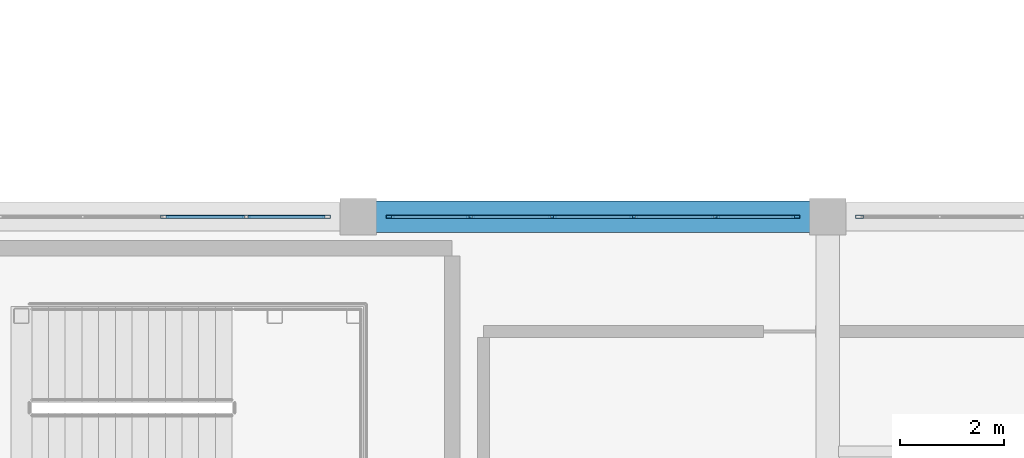
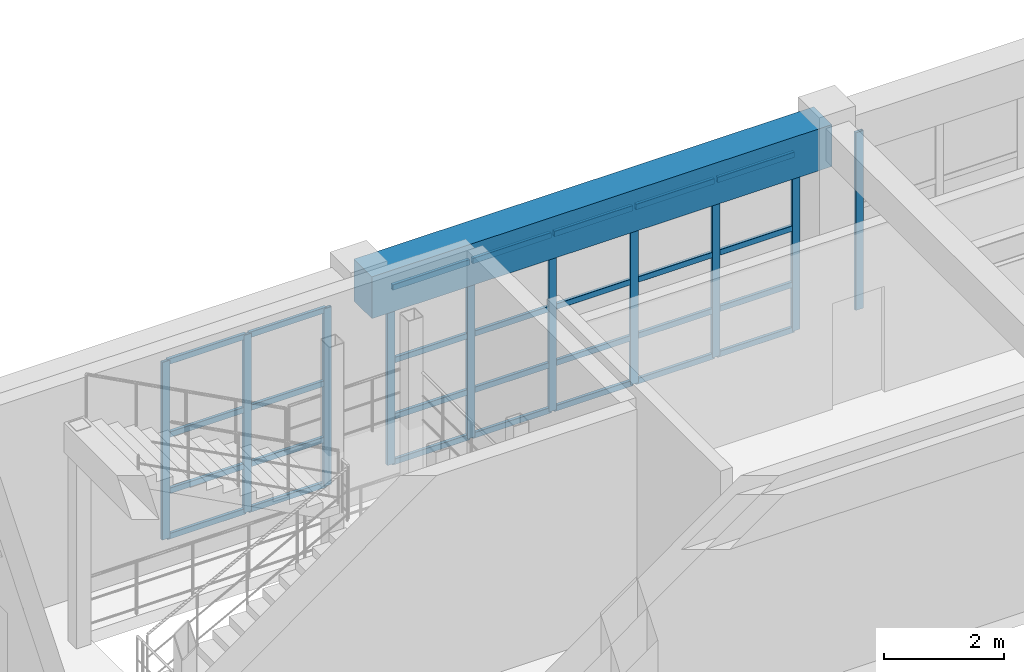
# One storey, part 28 of 133: 38 members, 1 beam, 3 elements without a shape of their own.
"""IFC4 building model written with IfcOpenShell, lengths in metres."""

from ifc_helpers import new_model, si_unit, direction, frame, origin, origin_2d, place, context, subcontext, project, spatial, rectangle, hollow_rectangle, extrude, material, material_profile, profile_set, type_object, element, aggregate, save


model = new_model("IFC4")

# Units and contexts
model_context = context("Model", 3, precision=1e-05, world=origin(), true_north=direction((0.0, 1.0)))
body_context = subcontext(model_context, "Body", "Model", "MODEL_VIEW")
ifc_project = project(units=[si_unit("LENGTHUNIT", "METRE"), si_unit("AREAUNIT", "SQUARE_METRE"), si_unit("VOLUMEUNIT", "CUBIC_METRE"), si_unit("PLANEANGLEUNIT", "RADIAN"), si_unit("MASSUNIT", "GRAM", prefix="KILO")], contexts=[model_context])

# Site, building, storey
site_placement = place(None, origin())
site = spatial("IfcSite", under=ifc_project, at=site_placement, CompositionType="ELEMENT")
building_placement = place(site_placement, origin())
building = spatial("IfcBuilding", under=site, at=building_placement, Name="Miravela Opera House", CompositionType="ELEMENT")
storey_placement = place(building_placement, frame((0.0, 0.0, 5.10009765625)))
storey = spatial("IfcBuildingStorey", under=building, at=storey_placement, Name="L01", CompositionType="ELEMENT", Elevation=5.10009765625)

# Curtain wall, members
ifc_material_1 = material(Name="Anodised architectural bronze aluminium 6063-T6", Category="aluminium")
curtain_wall_type = type_object("IfcCurtainWallType", Name="ARC-CW-06", PredefinedType="NOTDEFINED", material=ifc_material_1)
curtain_wall_1_placement = place(storey_placement, origin())
curtain_wall_1 = element("IfcCurtainWall", 1, at=curtain_wall_1_placement, inside=storey, type_object=curtain_wall_type, Name="Courtyard Arcade Curtain Wall CW-L01-125", PredefinedType="NOTDEFINED")
ifc_material_profile_1 = material_profile(ifc_material_1, hollow_rectangle(XDim=0.06005859375, YDim=0.14990234375, WallThickness=0.00390625, InnerFilletRadius=0.001953125, OuterFilletRadius=0.00390625, at=origin_2d()), Name="CWM-60X150")
ifc_profile_set_1 = profile_set([ifc_material_profile_1])
member_type_1 = type_object("IfcMemberType", Name="ARC-CWM-150", PredefinedType="MULLION", material=ifc_profile_set_1)
member_1_placement = place(storey_placement, frame((32.283935546875, 9.0, 0.0), z_axis=(0.0, 0.0, 1.0), x_axis=(0.0, 1.0, 0.0)))
member_1 = element("IfcMember", 2, at=member_1_placement, type_object=member_type_1, Name="CW-06 mullion 4", PredefinedType="MULLION", context=body_context, shape_type="SweptSolid", body=[
    extrude(hollow_rectangle(XDim=0.06005859375, YDim=0.14990234375, WallThickness=0.00390625, InnerFilletRadius=0.001953125, OuterFilletRadius=0.00390625, at=origin_2d()), origin(), (0.0, 0.0, 1.0), 3.60986328125),
])
member_2_placement = place(storey_placement, frame((33.85205078125, 9.0, 0.0), z_axis=(0.0, 0.0, 1.0), x_axis=(0.0, 1.0, 0.0)))
member_2 = element("IfcMember", 3, at=member_2_placement, type_object=member_type_1, Name="CW-06 mullion 5", PredefinedType="MULLION", context=body_context, shape_type="SweptSolid", body=[
    extrude(hollow_rectangle(XDim=0.06005859375, YDim=0.14990234375, WallThickness=0.00390625, InnerFilletRadius=0.001953125, OuterFilletRadius=0.00390625, at=origin_2d()), origin(), (0.0, 0.0, 1.0), 3.60986328125),
])
member_3_placement = place(storey_placement, frame((35.389892578125, 9.0, 0.0), z_axis=(0.0, 0.0, 1.0), x_axis=(0.0, 1.0, 0.0)))
member_3 = element("IfcMember", 4, at=member_3_placement, type_object=member_type_1, Name="CW-06 mullion 6", PredefinedType="MULLION", context=body_context, shape_type="SweptSolid", body=[
    extrude(hollow_rectangle(XDim=0.06005859375, YDim=0.14990234375, WallThickness=0.00390625, InnerFilletRadius=0.001953125, OuterFilletRadius=0.00390625, at=origin_2d()), origin(), (0.0, 0.0, 1.0), 3.60986328125),
])

curtain_wall_2_placement = place(storey_placement, origin())
curtain_wall_2 = element("IfcCurtainWall", 5, at=curtain_wall_2_placement, inside=storey, type_object=curtain_wall_type, Name="Courtyard Arcade Curtain Wall CW-L01-127", PredefinedType="NOTDEFINED")
member_4_placement = place(storey_placement, frame((36.610107421875, 9.0, 0.0), z_axis=(0.0, 0.0, 1.0), x_axis=(0.0, 1.0, 0.0)))
member_4 = element("IfcMember", 6, at=member_4_placement, type_object=member_type_1, Name="CW-06 mullion 1", PredefinedType="MULLION", context=body_context, shape_type="SweptSolid", body=[
    extrude(hollow_rectangle(XDim=0.06005859375, YDim=0.14990234375, WallThickness=0.00390625, InnerFilletRadius=0.001953125, OuterFilletRadius=0.00390625, at=origin_2d()), origin(), (0.0, 0.0, 1.0), 3.60986328125),
])
member_5_placement = place(storey_placement, frame((38.14794921875, 9.0, 0.0), z_axis=(0.0, 0.0, 1.0), x_axis=(0.0, 1.0, 0.0)))
member_5 = element("IfcMember", 7, at=member_5_placement, type_object=member_type_1, Name="CW-06 mullion 2", PredefinedType="MULLION", context=body_context, shape_type="SweptSolid", body=[
    extrude(hollow_rectangle(XDim=0.06005859375, YDim=0.14990234375, WallThickness=0.00390625, InnerFilletRadius=0.001953125, OuterFilletRadius=0.00390625, at=origin_2d()), origin(), (0.0, 0.0, 1.0), 3.60986328125),
])
member_6_placement = place(storey_placement, frame((39.716064453125, 9.0, 0.0), z_axis=(0.0, 0.0, 1.0), x_axis=(0.0, 1.0, 0.0)))
member_6 = element("IfcMember", 8, at=member_6_placement, type_object=member_type_1, Name="CW-06 mullion 3", PredefinedType="MULLION", context=body_context, shape_type="SweptSolid", body=[
    extrude(hollow_rectangle(XDim=0.06005859375, YDim=0.14990234375, WallThickness=0.00390625, InnerFilletRadius=0.001953125, OuterFilletRadius=0.00390625, at=origin_2d()), origin(), (0.0, 0.0, 1.0), 3.60986328125),
])
member_7_placement = place(storey_placement, frame((41.283935546875, 9.0, 0.0), z_axis=(0.0, 0.0, 1.0), x_axis=(0.0, 1.0, 0.0)))
member_7 = element("IfcMember", 9, at=member_7_placement, type_object=member_type_1, Name="CW-06 mullion 4", PredefinedType="MULLION", context=body_context, shape_type="SweptSolid", body=[
    extrude(hollow_rectangle(XDim=0.06005859375, YDim=0.14990234375, WallThickness=0.00390625, InnerFilletRadius=0.001953125, OuterFilletRadius=0.00390625, at=origin_2d()), origin(), (0.0, 0.0, 1.0), 3.60986328125),
])
member_8_placement = place(storey_placement, frame((42.85205078125, 9.0, 0.0), z_axis=(0.0, 0.0, 1.0), x_axis=(0.0, 1.0, 0.0)))
member_8 = element("IfcMember", 10, at=member_8_placement, type_object=member_type_1, Name="CW-06 mullion 5", PredefinedType="MULLION", context=body_context, shape_type="SweptSolid", body=[
    extrude(hollow_rectangle(XDim=0.06005859375, YDim=0.14990234375, WallThickness=0.00390625, InnerFilletRadius=0.001953125, OuterFilletRadius=0.00390625, at=origin_2d()), origin(), (0.0, 0.0, 1.0), 3.60986328125),
])
member_9_placement = place(storey_placement, frame((44.389892578125, 9.0, 0.0), z_axis=(0.0, 0.0, 1.0), x_axis=(0.0, 1.0, 0.0)))
member_9 = element("IfcMember", 11, at=member_9_placement, type_object=member_type_1, Name="CW-06 mullion 6", PredefinedType="MULLION", context=body_context, shape_type="SweptSolid", body=[
    extrude(hollow_rectangle(XDim=0.06005859375, YDim=0.14990234375, WallThickness=0.00390625, InnerFilletRadius=0.001953125, OuterFilletRadius=0.00390625, at=origin_2d()), origin(), (0.0, 0.0, 1.0), 3.60986328125),
])

# Curtain wall, member
curtain_wall_3_placement = place(storey_placement, origin())
curtain_wall_3 = element("IfcCurtainWall", 12, at=curtain_wall_3_placement, inside=storey, type_object=curtain_wall_type, Name="Courtyard Arcade Curtain Wall CW-L01-129", PredefinedType="NOTDEFINED")
member_10_placement = place(storey_placement, frame((45.610107421875, 9.0, 0.0), z_axis=(0.0, 0.0, 1.0), x_axis=(0.0, 1.0, 0.0)))
member_10 = element("IfcMember", 13, at=member_10_placement, type_object=member_type_1, Name="CW-06 mullion 1", PredefinedType="MULLION", context=body_context, shape_type="SweptSolid", body=[
    extrude(hollow_rectangle(XDim=0.06005859375, YDim=0.14990234375, WallThickness=0.00390625, InnerFilletRadius=0.001953125, OuterFilletRadius=0.00390625, at=origin_2d()), origin(), (0.0, 0.0, 1.0), 3.60986328125),
])
aggregate(curtain_wall_3, [member_10])

# Member
ifc_material_profile_2 = material_profile(ifc_material_1, hollow_rectangle(XDim=0.06005859375, YDim=0.114990234375, WallThickness=0.00390625, InnerFilletRadius=0.001953125, OuterFilletRadius=0.00390625, at=origin_2d()), Name="CWT-60X115")
ifc_profile_set_2 = profile_set([ifc_material_profile_2])
member_type_2 = type_object("IfcMemberType", Name="ARC-CWT-115", PredefinedType="USERDEFINED", material=ifc_profile_set_2)
member_11_placement = place(storey_placement, frame((32.31396484375, 9.0, 0.02978515625), z_axis=(1.0, 0.0, 0.0), x_axis=(0.0, 1.0, 0.0)))
member_11 = element("IfcMember", 14, at=member_11_placement, type_object=member_type_2, Name="CW-06 transom 4.1", ObjectType="TRANSOM", PredefinedType="USERDEFINED", context=body_context, shape_type="SweptSolid", body=[
    extrude(hollow_rectangle(XDim=0.06005859375, YDim=0.114990234375, WallThickness=0.00390625, InnerFilletRadius=0.001953125, OuterFilletRadius=0.00390625, at=origin_2d()), origin(), (0.0, 0.0, 1.0), 1.508056640625),
])

member_12_placement = place(storey_placement, frame((32.31396484375, 9.0, 0.949951171875), z_axis=(1.0, 0.0, 0.0), x_axis=(0.0, 1.0, 0.0)))
member_12 = element("IfcMember", 15, at=member_12_placement, type_object=member_type_2, Name="CW-06 transom 4.2", ObjectType="TRANSOM", PredefinedType="USERDEFINED", context=body_context, shape_type="SweptSolid", body=[
    extrude(hollow_rectangle(XDim=0.06005859375, YDim=0.114990234375, WallThickness=0.00390625, InnerFilletRadius=0.001953125, OuterFilletRadius=0.00390625, at=origin_2d()), origin(), (0.0, 0.0, 1.0), 1.508056640625),
])

member_13_placement = place(storey_placement, frame((32.31396484375, 9.0, 2.09375), z_axis=(1.0, 0.0, 0.0), x_axis=(0.0, 1.0, 0.0)))
member_13 = element("IfcMember", 16, at=member_13_placement, type_object=member_type_2, Name="CW-06 transom 4.3", ObjectType="TRANSOM", PredefinedType="USERDEFINED", context=body_context, shape_type="SweptSolid", body=[
    extrude(hollow_rectangle(XDim=0.06005859375, YDim=0.114990234375, WallThickness=0.00390625, InnerFilletRadius=0.001953125, OuterFilletRadius=0.00390625, at=origin_2d()), origin(), (0.0, 0.0, 1.0), 1.508056640625),
])

member_14_placement = place(storey_placement, frame((32.31396484375, 9.0, 3.579833984375), z_axis=(1.0, 0.0, 0.0), x_axis=(0.0, 1.0, 0.0)))
member_14 = element("IfcMember", 17, at=member_14_placement, type_object=member_type_2, Name="CW-06 transom 4.4", ObjectType="TRANSOM", PredefinedType="USERDEFINED", context=body_context, shape_type="SweptSolid", body=[
    extrude(hollow_rectangle(XDim=0.06005859375, YDim=0.114990234375, WallThickness=0.00390625, InnerFilletRadius=0.001953125, OuterFilletRadius=0.00390625, at=origin_2d()), origin(), (0.0, 0.0, 1.0), 1.508056640625),
])

member_15_placement = place(storey_placement, frame((33.882080078125, 9.0, 0.02978515625), z_axis=(1.0, 0.0, 0.0), x_axis=(0.0, 1.0, 0.0)))
member_15 = element("IfcMember", 18, at=member_15_placement, type_object=member_type_2, Name="CW-06 transom 5.1", ObjectType="TRANSOM", PredefinedType="USERDEFINED", context=body_context, shape_type="SweptSolid", body=[
    extrude(hollow_rectangle(XDim=0.06005859375, YDim=0.114990234375, WallThickness=0.00390625, InnerFilletRadius=0.001953125, OuterFilletRadius=0.00390625, at=origin_2d()), origin(), (0.0, 0.0, 1.0), 1.47802734375),
])

member_16_placement = place(storey_placement, frame((33.882080078125, 9.0, 0.949951171875), z_axis=(1.0, 0.0, 0.0), x_axis=(0.0, 1.0, 0.0)))
member_16 = element("IfcMember", 19, at=member_16_placement, type_object=member_type_2, Name="CW-06 transom 5.2", ObjectType="TRANSOM", PredefinedType="USERDEFINED", context=body_context, shape_type="SweptSolid", body=[
    extrude(hollow_rectangle(XDim=0.06005859375, YDim=0.114990234375, WallThickness=0.00390625, InnerFilletRadius=0.001953125, OuterFilletRadius=0.00390625, at=origin_2d()), origin(), (0.0, 0.0, 1.0), 1.47802734375),
])

member_17_placement = place(storey_placement, frame((33.882080078125, 9.0, 2.09375), z_axis=(1.0, 0.0, 0.0), x_axis=(0.0, 1.0, 0.0)))
member_17 = element("IfcMember", 20, at=member_17_placement, type_object=member_type_2, Name="CW-06 transom 5.3", ObjectType="TRANSOM", PredefinedType="USERDEFINED", context=body_context, shape_type="SweptSolid", body=[
    extrude(hollow_rectangle(XDim=0.06005859375, YDim=0.114990234375, WallThickness=0.00390625, InnerFilletRadius=0.001953125, OuterFilletRadius=0.00390625, at=origin_2d()), origin(), (0.0, 0.0, 1.0), 1.47802734375),
])

member_18_placement = place(storey_placement, frame((33.882080078125, 9.0, 3.579833984375), z_axis=(1.0, 0.0, 0.0), x_axis=(0.0, 1.0, 0.0)))
member_18 = element("IfcMember", 21, at=member_18_placement, type_object=member_type_2, Name="CW-06 transom 5.4", ObjectType="TRANSOM", PredefinedType="USERDEFINED", context=body_context, shape_type="SweptSolid", body=[
    extrude(hollow_rectangle(XDim=0.06005859375, YDim=0.114990234375, WallThickness=0.00390625, InnerFilletRadius=0.001953125, OuterFilletRadius=0.00390625, at=origin_2d()), origin(), (0.0, 0.0, 1.0), 1.47802734375),
])

aggregate(curtain_wall_1, [member_1, member_2, member_3, member_11, member_12, member_13, member_14, member_15, member_16, member_17, member_18])

member_19_placement = place(storey_placement, frame((36.639892578125, 9.0, 0.02978515625), z_axis=(1.0, 0.0, 0.0), x_axis=(0.0, 1.0, 0.0)))
member_19 = element("IfcMember", 22, at=member_19_placement, type_object=member_type_2, Name="CW-06 transom 1.1", ObjectType="TRANSOM", PredefinedType="USERDEFINED", context=body_context, shape_type="SweptSolid", body=[
    extrude(hollow_rectangle(XDim=0.06005859375, YDim=0.114990234375, WallThickness=0.00390625, InnerFilletRadius=0.001953125, OuterFilletRadius=0.00390625, at=origin_2d()), origin(), (0.0, 0.0, 1.0), 1.47802734375),
])

member_20_placement = place(storey_placement, frame((36.639892578125, 9.0, 0.949951171875), z_axis=(1.0, 0.0, 0.0), x_axis=(0.0, 1.0, 0.0)))
member_20 = element("IfcMember", 23, at=member_20_placement, type_object=member_type_2, Name="CW-06 transom 1.2", ObjectType="TRANSOM", PredefinedType="USERDEFINED", context=body_context, shape_type="SweptSolid", body=[
    extrude(hollow_rectangle(XDim=0.06005859375, YDim=0.114990234375, WallThickness=0.00390625, InnerFilletRadius=0.001953125, OuterFilletRadius=0.00390625, at=origin_2d()), origin(), (0.0, 0.0, 1.0), 1.47802734375),
])

member_21_placement = place(storey_placement, frame((36.639892578125, 9.0, 2.09375), z_axis=(1.0, 0.0, 0.0), x_axis=(0.0, 1.0, 0.0)))
member_21 = element("IfcMember", 24, at=member_21_placement, type_object=member_type_2, Name="CW-06 transom 1.3", ObjectType="TRANSOM", PredefinedType="USERDEFINED", context=body_context, shape_type="SweptSolid", body=[
    extrude(hollow_rectangle(XDim=0.06005859375, YDim=0.114990234375, WallThickness=0.00390625, InnerFilletRadius=0.001953125, OuterFilletRadius=0.00390625, at=origin_2d()), origin(), (0.0, 0.0, 1.0), 1.47802734375),
])

member_22_placement = place(storey_placement, frame((36.639892578125, 9.0, 3.579833984375), z_axis=(1.0, 0.0, 0.0), x_axis=(0.0, 1.0, 0.0)))
member_22 = element("IfcMember", 25, at=member_22_placement, type_object=member_type_2, Name="CW-06 transom 1.4", ObjectType="TRANSOM", PredefinedType="USERDEFINED", context=body_context, shape_type="SweptSolid", body=[
    extrude(hollow_rectangle(XDim=0.06005859375, YDim=0.114990234375, WallThickness=0.00390625, InnerFilletRadius=0.001953125, OuterFilletRadius=0.00390625, at=origin_2d()), origin(), (0.0, 0.0, 1.0), 1.47802734375),
])

member_23_placement = place(storey_placement, frame((38.177978515625, 9.0, 0.02978515625), z_axis=(1.0, 0.0, 0.0), x_axis=(0.0, 1.0, 0.0)))
member_23 = element("IfcMember", 26, at=member_23_placement, type_object=member_type_2, Name="CW-06 transom 2.1", ObjectType="TRANSOM", PredefinedType="USERDEFINED", context=body_context, shape_type="SweptSolid", body=[
    extrude(hollow_rectangle(XDim=0.06005859375, YDim=0.114990234375, WallThickness=0.00390625, InnerFilletRadius=0.001953125, OuterFilletRadius=0.00390625, at=origin_2d()), origin(), (0.0, 0.0, 1.0), 1.508056640625),
])

member_24_placement = place(storey_placement, frame((38.177978515625, 9.0, 0.949951171875), z_axis=(1.0, 0.0, 0.0), x_axis=(0.0, 1.0, 0.0)))
member_24 = element("IfcMember", 27, at=member_24_placement, type_object=member_type_2, Name="CW-06 transom 2.2", ObjectType="TRANSOM", PredefinedType="USERDEFINED", context=body_context, shape_type="SweptSolid", body=[
    extrude(hollow_rectangle(XDim=0.06005859375, YDim=0.114990234375, WallThickness=0.00390625, InnerFilletRadius=0.001953125, OuterFilletRadius=0.00390625, at=origin_2d()), origin(), (0.0, 0.0, 1.0), 1.508056640625),
])

member_25_placement = place(storey_placement, frame((38.177978515625, 9.0, 2.09375), z_axis=(1.0, 0.0, 0.0), x_axis=(0.0, 1.0, 0.0)))
member_25 = element("IfcMember", 28, at=member_25_placement, type_object=member_type_2, Name="CW-06 transom 2.3", ObjectType="TRANSOM", PredefinedType="USERDEFINED", context=body_context, shape_type="SweptSolid", body=[
    extrude(hollow_rectangle(XDim=0.06005859375, YDim=0.114990234375, WallThickness=0.00390625, InnerFilletRadius=0.001953125, OuterFilletRadius=0.00390625, at=origin_2d()), origin(), (0.0, 0.0, 1.0), 1.508056640625),
])

member_26_placement = place(storey_placement, frame((38.177978515625, 9.0, 3.579833984375), z_axis=(1.0, 0.0, 0.0), x_axis=(0.0, 1.0, 0.0)))
member_26 = element("IfcMember", 29, at=member_26_placement, type_object=member_type_2, Name="CW-06 transom 2.4", ObjectType="TRANSOM", PredefinedType="USERDEFINED", context=body_context, shape_type="SweptSolid", body=[
    extrude(hollow_rectangle(XDim=0.06005859375, YDim=0.114990234375, WallThickness=0.00390625, InnerFilletRadius=0.001953125, OuterFilletRadius=0.00390625, at=origin_2d()), origin(), (0.0, 0.0, 1.0), 1.508056640625),
])

member_27_placement = place(storey_placement, frame((39.74609375, 9.0, 0.02978515625), z_axis=(1.0, 0.0, 0.0), x_axis=(0.0, 1.0, 0.0)))
member_27 = element("IfcMember", 30, at=member_27_placement, type_object=member_type_2, Name="CW-06 transom 3.1", ObjectType="TRANSOM", PredefinedType="USERDEFINED", context=body_context, shape_type="SweptSolid", body=[
    extrude(hollow_rectangle(XDim=0.06005859375, YDim=0.114990234375, WallThickness=0.00390625, InnerFilletRadius=0.001953125, OuterFilletRadius=0.00390625, at=origin_2d()), origin(), (0.0, 0.0, 1.0), 1.5078125),
])

member_28_placement = place(storey_placement, frame((39.74609375, 9.0, 0.949951171875), z_axis=(1.0, 0.0, 0.0), x_axis=(0.0, 1.0, 0.0)))
member_28 = element("IfcMember", 31, at=member_28_placement, type_object=member_type_2, Name="CW-06 transom 3.2", ObjectType="TRANSOM", PredefinedType="USERDEFINED", context=body_context, shape_type="SweptSolid", body=[
    extrude(hollow_rectangle(XDim=0.06005859375, YDim=0.114990234375, WallThickness=0.00390625, InnerFilletRadius=0.001953125, OuterFilletRadius=0.00390625, at=origin_2d()), origin(), (0.0, 0.0, 1.0), 1.5078125),
])

member_29_placement = place(storey_placement, frame((39.74609375, 9.0, 2.09375), z_axis=(1.0, 0.0, 0.0), x_axis=(0.0, 1.0, 0.0)))
member_29 = element("IfcMember", 32, at=member_29_placement, type_object=member_type_2, Name="CW-06 transom 3.3", ObjectType="TRANSOM", PredefinedType="USERDEFINED", context=body_context, shape_type="SweptSolid", body=[
    extrude(hollow_rectangle(XDim=0.06005859375, YDim=0.114990234375, WallThickness=0.00390625, InnerFilletRadius=0.001953125, OuterFilletRadius=0.00390625, at=origin_2d()), origin(), (0.0, 0.0, 1.0), 1.5078125),
])

member_30_placement = place(storey_placement, frame((39.74609375, 9.0, 3.579833984375), z_axis=(1.0, 0.0, 0.0), x_axis=(0.0, 1.0, 0.0)))
member_30 = element("IfcMember", 33, at=member_30_placement, type_object=member_type_2, Name="CW-06 transom 3.4", ObjectType="TRANSOM", PredefinedType="USERDEFINED", context=body_context, shape_type="SweptSolid", body=[
    extrude(hollow_rectangle(XDim=0.06005859375, YDim=0.114990234375, WallThickness=0.00390625, InnerFilletRadius=0.001953125, OuterFilletRadius=0.00390625, at=origin_2d()), origin(), (0.0, 0.0, 1.0), 1.5078125),
])

member_31_placement = place(storey_placement, frame((41.31396484375, 9.0, 0.02978515625), z_axis=(1.0, 0.0, 0.0), x_axis=(0.0, 1.0, 0.0)))
member_31 = element("IfcMember", 34, at=member_31_placement, type_object=member_type_2, Name="CW-06 transom 4.1", ObjectType="TRANSOM", PredefinedType="USERDEFINED", context=body_context, shape_type="SweptSolid", body=[
    extrude(hollow_rectangle(XDim=0.06005859375, YDim=0.114990234375, WallThickness=0.00390625, InnerFilletRadius=0.001953125, OuterFilletRadius=0.00390625, at=origin_2d()), origin(), (0.0, 0.0, 1.0), 1.508056640625),
])

member_32_placement = place(storey_placement, frame((41.31396484375, 9.0, 0.949951171875), z_axis=(1.0, 0.0, 0.0), x_axis=(0.0, 1.0, 0.0)))
member_32 = element("IfcMember", 35, at=member_32_placement, type_object=member_type_2, Name="CW-06 transom 4.2", ObjectType="TRANSOM", PredefinedType="USERDEFINED", context=body_context, shape_type="SweptSolid", body=[
    extrude(hollow_rectangle(XDim=0.06005859375, YDim=0.114990234375, WallThickness=0.00390625, InnerFilletRadius=0.001953125, OuterFilletRadius=0.00390625, at=origin_2d()), origin(), (0.0, 0.0, 1.0), 1.508056640625),
])

member_33_placement = place(storey_placement, frame((41.31396484375, 9.0, 2.09375), z_axis=(1.0, 0.0, 0.0), x_axis=(0.0, 1.0, 0.0)))
member_33 = element("IfcMember", 36, at=member_33_placement, type_object=member_type_2, Name="CW-06 transom 4.3", ObjectType="TRANSOM", PredefinedType="USERDEFINED", context=body_context, shape_type="SweptSolid", body=[
    extrude(hollow_rectangle(XDim=0.06005859375, YDim=0.114990234375, WallThickness=0.00390625, InnerFilletRadius=0.001953125, OuterFilletRadius=0.00390625, at=origin_2d()), origin(), (0.0, 0.0, 1.0), 1.508056640625),
])

member_34_placement = place(storey_placement, frame((41.31396484375, 9.0, 3.579833984375), z_axis=(1.0, 0.0, 0.0), x_axis=(0.0, 1.0, 0.0)))
member_34 = element("IfcMember", 37, at=member_34_placement, type_object=member_type_2, Name="CW-06 transom 4.4", ObjectType="TRANSOM", PredefinedType="USERDEFINED", context=body_context, shape_type="SweptSolid", body=[
    extrude(hollow_rectangle(XDim=0.06005859375, YDim=0.114990234375, WallThickness=0.00390625, InnerFilletRadius=0.001953125, OuterFilletRadius=0.00390625, at=origin_2d()), origin(), (0.0, 0.0, 1.0), 1.508056640625),
])

member_35_placement = place(storey_placement, frame((42.882080078125, 9.0, 0.02978515625), z_axis=(1.0, 0.0, 0.0), x_axis=(0.0, 1.0, 0.0)))
member_35 = element("IfcMember", 38, at=member_35_placement, type_object=member_type_2, Name="CW-06 transom 5.1", ObjectType="TRANSOM", PredefinedType="USERDEFINED", context=body_context, shape_type="SweptSolid", body=[
    extrude(hollow_rectangle(XDim=0.06005859375, YDim=0.114990234375, WallThickness=0.00390625, InnerFilletRadius=0.001953125, OuterFilletRadius=0.00390625, at=origin_2d()), origin(), (0.0, 0.0, 1.0), 1.47802734375),
])

member_36_placement = place(storey_placement, frame((42.882080078125, 9.0, 0.949951171875), z_axis=(1.0, 0.0, 0.0), x_axis=(0.0, 1.0, 0.0)))
member_36 = element("IfcMember", 39, at=member_36_placement, type_object=member_type_2, Name="CW-06 transom 5.2", ObjectType="TRANSOM", PredefinedType="USERDEFINED", context=body_context, shape_type="SweptSolid", body=[
    extrude(hollow_rectangle(XDim=0.06005859375, YDim=0.114990234375, WallThickness=0.00390625, InnerFilletRadius=0.001953125, OuterFilletRadius=0.00390625, at=origin_2d()), origin(), (0.0, 0.0, 1.0), 1.47802734375),
])

member_37_placement = place(storey_placement, frame((42.882080078125, 9.0, 2.09375), z_axis=(1.0, 0.0, 0.0), x_axis=(0.0, 1.0, 0.0)))
member_37 = element("IfcMember", 40, at=member_37_placement, type_object=member_type_2, Name="CW-06 transom 5.3", ObjectType="TRANSOM", PredefinedType="USERDEFINED", context=body_context, shape_type="SweptSolid", body=[
    extrude(hollow_rectangle(XDim=0.06005859375, YDim=0.114990234375, WallThickness=0.00390625, InnerFilletRadius=0.001953125, OuterFilletRadius=0.00390625, at=origin_2d()), origin(), (0.0, 0.0, 1.0), 1.47802734375),
])

member_38_placement = place(storey_placement, frame((42.882080078125, 9.0, 3.579833984375), z_axis=(1.0, 0.0, 0.0), x_axis=(0.0, 1.0, 0.0)))
member_38 = element("IfcMember", 41, at=member_38_placement, type_object=member_type_2, Name="CW-06 transom 5.4", ObjectType="TRANSOM", PredefinedType="USERDEFINED", context=body_context, shape_type="SweptSolid", body=[
    extrude(hollow_rectangle(XDim=0.06005859375, YDim=0.114990234375, WallThickness=0.00390625, InnerFilletRadius=0.001953125, OuterFilletRadius=0.00390625, at=origin_2d()), origin(), (0.0, 0.0, 1.0), 1.47802734375),
])

aggregate(curtain_wall_2, [member_4, member_5, member_6, member_7, member_8, member_9, member_19, member_20, member_21, member_22, member_23, member_24, member_25, member_26, member_27, member_28, member_29, member_30, member_31, member_32, member_33, member_34, member_35, member_36, member_37, member_38])

# Beam
ifc_material_2 = material(Name="Concrete C40/50", Category="concrete")
ifc_material_profile_3 = material_profile(ifc_material_2, rectangle(XDim=0.60009765625, YDim=0.85009765625, at=origin_2d()), Name="RC-BM-600X850")
ifc_profile_set_3 = profile_set([ifc_material_profile_3])
beam_type = type_object("IfcBeamType", Name="STR-BM-RC600X850", PredefinedType="BEAM", material=ifc_profile_set_3)
beam_placement = place(storey_placement, frame((36.080078125, 9.0, 3.73486328125), z_axis=(1.0, 0.0, 0.0), x_axis=(0.0, 1.0, 0.0)))
element("IfcBeam", 42, at=beam_placement, inside=storey, type_object=beam_type, Name="Floor Girder L01 5-6/B", PredefinedType="BEAM", context=body_context, shape_type="SweptSolid", body=[
    extrude(rectangle(XDim=0.60009765625, YDim=0.85009765625, at=origin_2d()), origin(), (0.0, 0.0, 1.0), 8.83984375),
])

save(model, "model.ifc")
